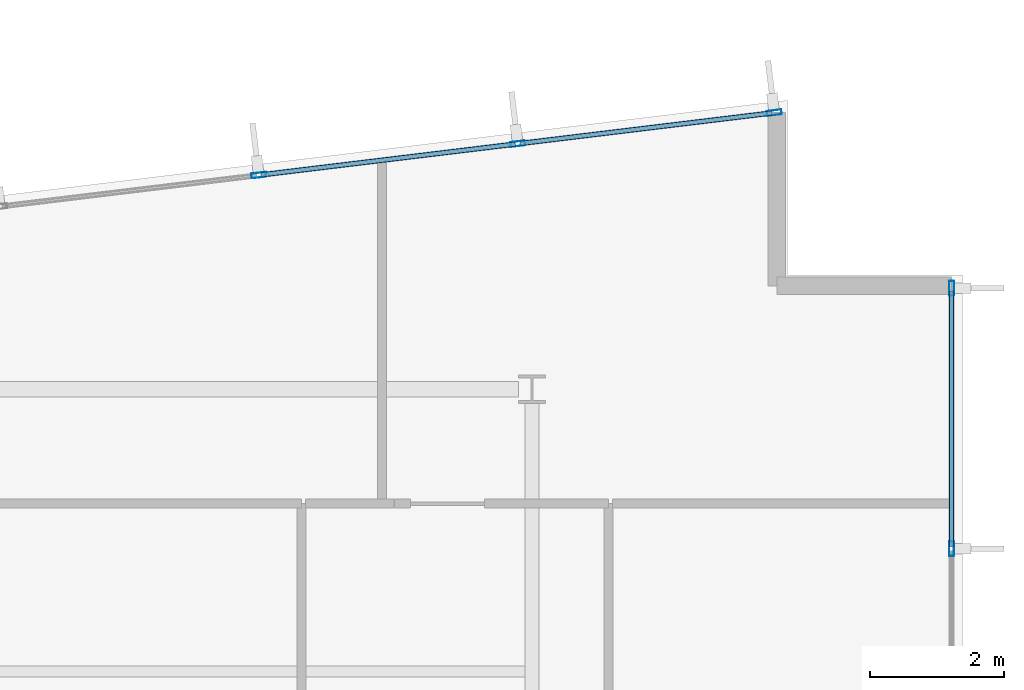
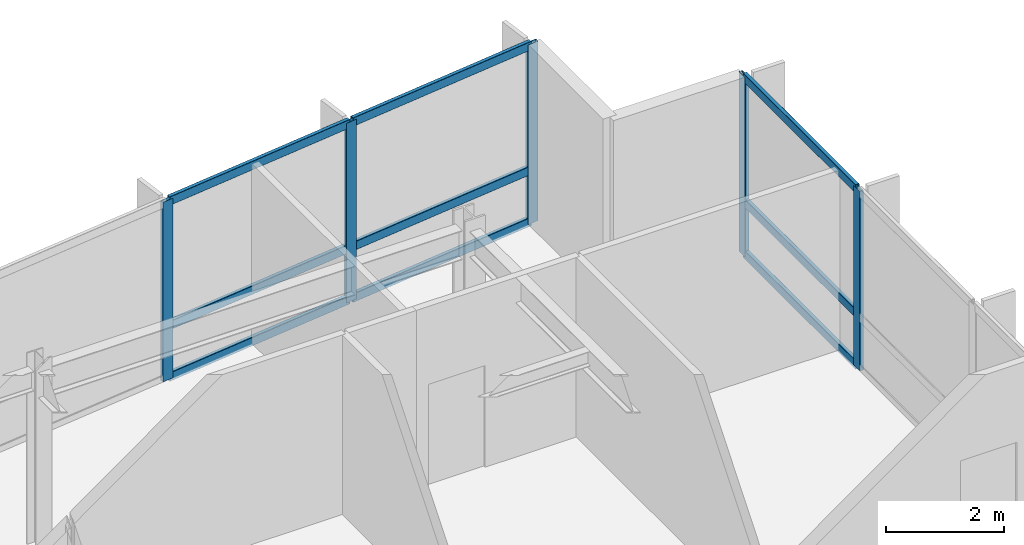
# One storey, part 8 of 18: 14 members, 2 elements without a shape of their own.
"""IFC4 building model written with IfcOpenShell, lengths in metres."""

from ifc_helpers import new_model, si_unit, direction, frame, origin, origin_2d, place, context, subcontext, project, spatial, hollow_rectangle, extrude, material, layer, layer_set, material_profile, profile_set, type_object, element, aggregate, save


model = new_model("IFC4")

# Units and contexts
model_context = context("Model", 3, precision=1e-05, world=origin(), true_north=direction((0.0, 1.0)))
body_context = subcontext(model_context, "Body", "Model", "MODEL_VIEW")
ifc_project = project(units=[si_unit("LENGTHUNIT", "METRE"), si_unit("AREAUNIT", "SQUARE_METRE"), si_unit("VOLUMEUNIT", "CUBIC_METRE"), si_unit("PLANEANGLEUNIT", "RADIAN"), si_unit("MASSUNIT", "GRAM", prefix="KILO")], contexts=[model_context])

# Site, building, storey
site_placement = place(None, origin())
site = spatial("IfcSite", under=ifc_project, at=site_placement, CompositionType="ELEMENT")
building_placement = place(site_placement, origin())
building = spatial("IfcBuilding", under=site, at=building_placement, Name="Varnakote Quay Hospital", CompositionType="ELEMENT")
storey_placement = place(building_placement, frame((0.0, 0.0, 107.300048828125)))
storey = spatial("IfcBuildingStorey", under=building, at=storey_placement, Name="L26", CompositionType="ELEMENT", Elevation=107.300048828125)

# Curtain wall, members
ifc_material_1 = material(Name="Anodised aluminium 6063-T6 Bronze", Category="aluminium")
ifc_layer = layer(ifc_material_1, 0.205078125)
ifc_layer_set = layer_set([ifc_layer], Name="Anodised aluminium 6063-T6 Bronze")
curtain_wall_type = type_object("IfcCurtainWallType", Name="CW-SYS-3", PredefinedType="NOTDEFINED", material=ifc_layer_set)
curtain_wall_1_placement = place(storey_placement, origin())
curtain_wall_1 = element("IfcCurtainWall", 1, at=curtain_wall_1_placement, inside=storey, type_object=curtain_wall_type, Name="L26 Unitised Bronze Curtain Wall 1", PredefinedType="NOTDEFINED")
ifc_material_2 = material(Name="Anodised aluminium 6063-T6 Bronze", Category="aluminium")
ifc_material_profile_1 = material_profile(ifc_material_2, hollow_rectangle(XDim=0.074951171875, YDim=0.219970703125, WallThickness=0.00439453125, InnerFilletRadius=0.00439453125, OuterFilletRadius=0.009033203125, at=origin_2d()), Name="CW-MULL-220x75")
ifc_profile_set_1 = profile_set([ifc_material_profile_1], Name="Anodised aluminium 6063-T6 Bronze")
member_type_1 = type_object("IfcMemberType", Name="CW-MULL-220x75", PredefinedType="MULLION", material=ifc_profile_set_1)
member_1_placement = place(storey_placement, frame((56.639892578125, 26.4267578125, 0.0), z_axis=(0.0, 0.0, 1.0), x_axis=(-1.0, 0.0, 0.0)))
member_1 = element("IfcMember", 2, at=member_1_placement, type_object=member_type_1, Name="-3-L26-1 mullion 6", PredefinedType="MULLION", context=body_context, shape_type="SweptSolid", body=[
    extrude(hollow_rectangle(XDim=0.074951171875, YDim=0.219970703125, WallThickness=0.00439453125, InnerFilletRadius=0.00439453125, OuterFilletRadius=0.009033203125, at=origin_2d()), origin(), (0.0, 0.0, 1.0), 3.7099609375),
])
member_2_placement = place(storey_placement, frame((56.639892578125, 30.302490234375, 0.0), z_axis=(0.0, 0.0, 1.0), x_axis=(-1.0, 0.0, 0.0)))
member_2 = element("IfcMember", 3, at=member_2_placement, type_object=member_type_1, Name="-3-L26-1 mullion 7", PredefinedType="MULLION", context=body_context, shape_type="SweptSolid", body=[
    extrude(hollow_rectangle(XDim=0.074951171875, YDim=0.219970703125, WallThickness=0.00439453125, InnerFilletRadius=0.00439453125, OuterFilletRadius=0.009033203125, at=origin_2d()), origin(), (0.0, 0.0, 1.0), 3.7099609375),
])

curtain_wall_2_placement = place(storey_placement, origin())
curtain_wall_2 = element("IfcCurtainWall", 4, at=curtain_wall_2_placement, inside=storey, type_object=curtain_wall_type, Name="L26 Unitised Bronze Curtain Wall 2", PredefinedType="NOTDEFINED")
member_3_placement = place(storey_placement, frame((54.002685546875, 32.914794921875, 0.0), z_axis=(0.0, 0.0, 1.0), x_axis=(0.12032713492, -0.992734295067, 0.0)))
member_3 = element("IfcMember", 5, at=member_3_placement, type_object=member_type_1, Name="-3-L26-2 mullion 1", PredefinedType="MULLION", context=body_context, shape_type="SweptSolid", body=[
    extrude(hollow_rectangle(XDim=0.074951171875, YDim=0.219970703125, WallThickness=0.00439453125, InnerFilletRadius=0.00439453125, OuterFilletRadius=0.009033203125, at=origin_2d()), origin(), (0.0, 0.0, 1.0), 3.7099609375),
])
member_4_placement = place(storey_placement, frame((50.1875, 32.452392578125, 0.0), z_axis=(0.0, 0.0, 1.0), x_axis=(0.12032713492, -0.992734295067, 0.0)))
member_4 = element("IfcMember", 6, at=member_4_placement, type_object=member_type_1, Name="-3-L26-2 mullion 2", PredefinedType="MULLION", context=body_context, shape_type="SweptSolid", body=[
    extrude(hollow_rectangle(XDim=0.074951171875, YDim=0.219970703125, WallThickness=0.00439453125, InnerFilletRadius=0.00439453125, OuterFilletRadius=0.009033203125, at=origin_2d()), origin(), (0.0, 0.0, 1.0), 3.7099609375),
])
member_5_placement = place(storey_placement, frame((46.3349609375, 31.985595703125, 0.0), z_axis=(0.0, 0.0, 1.0), x_axis=(0.12032713492, -0.992734295067, 0.0)))
member_5 = element("IfcMember", 7, at=member_5_placement, type_object=member_type_1, Name="-3-L26-2 mullion 3", PredefinedType="MULLION", context=body_context, shape_type="SweptSolid", body=[
    extrude(hollow_rectangle(XDim=0.074951171875, YDim=0.219970703125, WallThickness=0.00439453125, InnerFilletRadius=0.00439453125, OuterFilletRadius=0.009033203125, at=origin_2d()), origin(), (0.0, 0.0, 1.0), 3.7099609375),
])

# Member
ifc_material_3 = material(Name="Anodised aluminium 6063-T6 Bronze", Category="aluminium")
ifc_material_profile_2 = material_profile(ifc_material_3, hollow_rectangle(XDim=0.074951171875, YDim=0.179931640625, WallThickness=0.004150390625, InnerFilletRadius=0.004150390625, OuterFilletRadius=0.00830078125, at=origin_2d()), Name="CW-TRAN-180x75")
ifc_profile_set_2 = profile_set([ifc_material_profile_2], Name="Anodised aluminium 6063-T6 Bronze")
member_type_2 = type_object("IfcMemberType", Name="CW-TRAN-180x75", PredefinedType="USERDEFINED", material=ifc_profile_set_2)
member_6_placement = place(storey_placement, frame((56.639892578125, 26.464111328125, 0.037353515625), z_axis=(0.0, 1.0, 0.0), x_axis=(-1.0, 0.0, 0.0)))
member_6 = element("IfcMember", 8, at=member_6_placement, type_object=member_type_2, Name="-3-L26-1 transom 6.1", ObjectType="TRANSOM", PredefinedType="USERDEFINED", context=body_context, shape_type="SweptSolid", body=[
    extrude(hollow_rectangle(XDim=0.074951171875, YDim=0.179931640625, WallThickness=0.004150390625, InnerFilletRadius=0.004150390625, OuterFilletRadius=0.00830078125, at=origin_2d()), origin(), (0.0, 0.0, 1.0), 3.80078125),
])

member_7_placement = place(storey_placement, frame((56.639892578125, 26.464111328125, 1.099853515625), z_axis=(0.0, 1.0, 0.0), x_axis=(-1.0, 0.0, 0.0)))
member_7 = element("IfcMember", 9, at=member_7_placement, type_object=member_type_2, Name="-3-L26-1 transom 6.2", ObjectType="TRANSOM", PredefinedType="USERDEFINED", context=body_context, shape_type="SweptSolid", body=[
    extrude(hollow_rectangle(XDim=0.074951171875, YDim=0.179931640625, WallThickness=0.004150390625, InnerFilletRadius=0.004150390625, OuterFilletRadius=0.00830078125, at=origin_2d()), origin(), (0.0, 0.0, 1.0), 3.80078125),
])

member_8_placement = place(storey_placement, frame((56.639892578125, 26.464111328125, 3.67236328125), z_axis=(0.0, 1.0, 0.0), x_axis=(-1.0, 0.0, 0.0)))
member_8 = element("IfcMember", 10, at=member_8_placement, type_object=member_type_2, Name="-3-L26-1 transom 6.3", ObjectType="TRANSOM", PredefinedType="USERDEFINED", context=body_context, shape_type="SweptSolid", body=[
    extrude(hollow_rectangle(XDim=0.074951171875, YDim=0.179931640625, WallThickness=0.004150390625, InnerFilletRadius=0.004150390625, OuterFilletRadius=0.00830078125, at=origin_2d()), origin(), (0.0, 0.0, 1.0), 3.80078125),
])

aggregate(curtain_wall_1, [member_1, member_2, member_6, member_7, member_8])

member_9_placement = place(storey_placement, frame((53.965576171875, 32.910400390625, 0.037353515625), z_axis=(-0.992735423717, -0.120317822859, 0.0), x_axis=(0.120317822859, -0.992735423717, 0.0)))
member_9 = element("IfcMember", 11, at=member_9_placement, type_object=member_type_2, Name="-3-L26-2 transom 1.1", ObjectType="TRANSOM", PredefinedType="USERDEFINED", context=body_context, shape_type="SweptSolid", body=[
    extrude(hollow_rectangle(XDim=0.074951171875, YDim=0.179931640625, WallThickness=0.004150390625, InnerFilletRadius=0.004150390625, OuterFilletRadius=0.00830078125, at=origin_2d()), origin(), (0.0, 0.0, 1.0), 3.76806640625),
])

member_10_placement = place(storey_placement, frame((53.965576171875, 32.910400390625, 1.099853515625), z_axis=(-0.992735423717, -0.120317822859, 0.0), x_axis=(0.120317822859, -0.992735423717, 0.0)))
member_10 = element("IfcMember", 12, at=member_10_placement, type_object=member_type_2, Name="-3-L26-2 transom 1.2", ObjectType="TRANSOM", PredefinedType="USERDEFINED", context=body_context, shape_type="SweptSolid", body=[
    extrude(hollow_rectangle(XDim=0.074951171875, YDim=0.179931640625, WallThickness=0.004150390625, InnerFilletRadius=0.004150390625, OuterFilletRadius=0.00830078125, at=origin_2d()), origin(), (0.0, 0.0, 1.0), 3.76806640625),
])

member_11_placement = place(storey_placement, frame((53.965576171875, 32.910400390625, 3.67236328125), z_axis=(-0.992735423717, -0.120317822859, 0.0), x_axis=(0.120317822859, -0.992735423717, 0.0)))
member_11 = element("IfcMember", 13, at=member_11_placement, type_object=member_type_2, Name="-3-L26-2 transom 1.3", ObjectType="TRANSOM", PredefinedType="USERDEFINED", context=body_context, shape_type="SweptSolid", body=[
    extrude(hollow_rectangle(XDim=0.074951171875, YDim=0.179931640625, WallThickness=0.004150390625, InnerFilletRadius=0.004150390625, OuterFilletRadius=0.00830078125, at=origin_2d()), origin(), (0.0, 0.0, 1.0), 3.76806640625),
])

member_12_placement = place(storey_placement, frame((50.150390625, 32.447998046875, 0.037353515625), z_axis=(-0.992731924158, -0.120346694005, 0.0), x_axis=(0.120346694005, -0.992731924158, 0.0)))
member_12 = element("IfcMember", 14, at=member_12_placement, type_object=member_type_2, Name="-3-L26-2 transom 2.1", ObjectType="TRANSOM", PredefinedType="USERDEFINED", context=body_context, shape_type="SweptSolid", body=[
    extrude(hollow_rectangle(XDim=0.074951171875, YDim=0.179931640625, WallThickness=0.004150390625, InnerFilletRadius=0.004150390625, OuterFilletRadius=0.00830078125, at=origin_2d()), origin(), (0.0, 0.0, 1.0), 3.8056640625),
])

member_13_placement = place(storey_placement, frame((50.150390625, 32.447998046875, 1.099853515625), z_axis=(-0.992731924158, -0.120346694005, 0.0), x_axis=(0.120346694005, -0.992731924158, 0.0)))
member_13 = element("IfcMember", 15, at=member_13_placement, type_object=member_type_2, Name="-3-L26-2 transom 2.2", ObjectType="TRANSOM", PredefinedType="USERDEFINED", context=body_context, shape_type="SweptSolid", body=[
    extrude(hollow_rectangle(XDim=0.074951171875, YDim=0.179931640625, WallThickness=0.004150390625, InnerFilletRadius=0.004150390625, OuterFilletRadius=0.00830078125, at=origin_2d()), origin(), (0.0, 0.0, 1.0), 3.8056640625),
])

member_14_placement = place(storey_placement, frame((50.150390625, 32.447998046875, 3.67236328125), z_axis=(-0.992731924158, -0.120346694005, 0.0), x_axis=(0.120346694005, -0.992731924158, 0.0)))
member_14 = element("IfcMember", 16, at=member_14_placement, type_object=member_type_2, Name="-3-L26-2 transom 2.3", ObjectType="TRANSOM", PredefinedType="USERDEFINED", context=body_context, shape_type="SweptSolid", body=[
    extrude(hollow_rectangle(XDim=0.074951171875, YDim=0.179931640625, WallThickness=0.004150390625, InnerFilletRadius=0.004150390625, OuterFilletRadius=0.00830078125, at=origin_2d()), origin(), (0.0, 0.0, 1.0), 3.8056640625),
])

aggregate(curtain_wall_2, [member_3, member_4, member_5, member_9, member_10, member_11, member_12, member_13, member_14])

save(model, "model.ifc")
